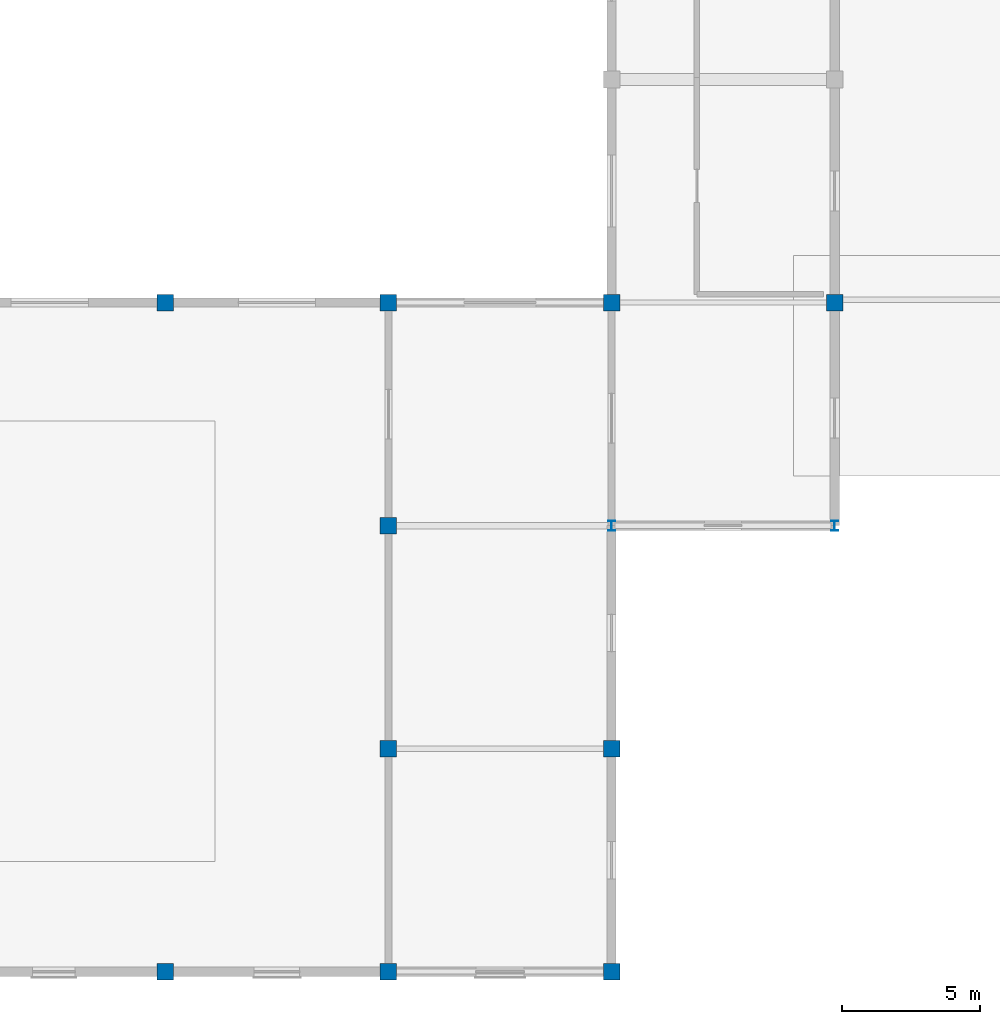
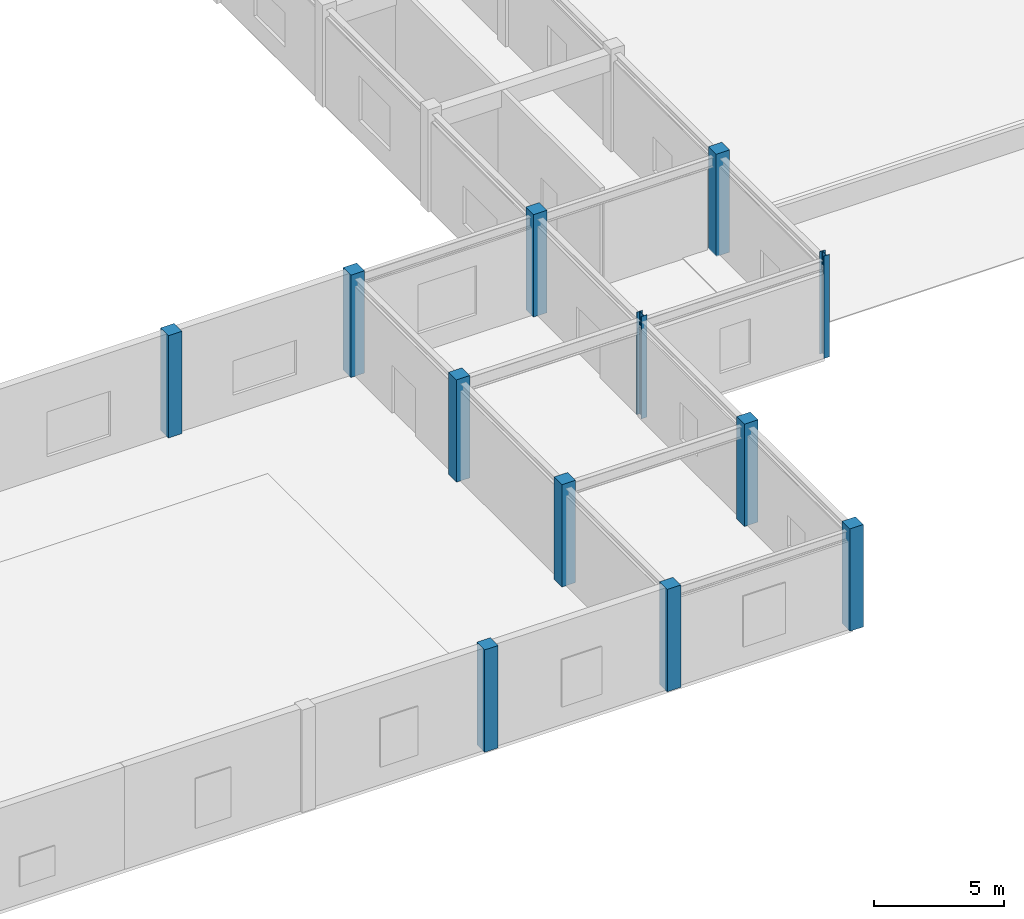
# One storey, part 4 of 56: 12 columns.
"""IFC4 building model written with IfcOpenShell, lengths in metres."""

from ifc_helpers import new_model, si_unit, direction, frame, origin, origin_2d, place, context, subcontext, project, spatial, rectangle, i_section, extrude, material, material_profile, profile_set, type_object, element, save


model = new_model("IFC4")

# Units and contexts
model_context = context("Model", 3, precision=1e-05, world=origin(), true_north=direction((0.0, 1.0)))
body_context = subcontext(model_context, "Body", "Model", "MODEL_VIEW")
ifc_project = project(units=[si_unit("LENGTHUNIT", "METRE"), si_unit("AREAUNIT", "SQUARE_METRE"), si_unit("VOLUMEUNIT", "CUBIC_METRE"), si_unit("PLANEANGLEUNIT", "RADIAN"), si_unit("MASSUNIT", "GRAM", prefix="KILO")], contexts=[model_context])

# Site, building, storey
site_placement = place(None, origin())
site = spatial("IfcSite", under=ifc_project, at=site_placement, CompositionType="ELEMENT")
building_placement = place(site_placement, origin())
building = spatial("IfcBuilding", under=site, at=building_placement, Name="Parian Resonance Hall", CompositionType="ELEMENT")
storey_placement = place(building_placement, frame((0.0, 0.0, 5.39990234375)))
storey = spatial("IfcBuildingStorey", under=building, at=storey_placement, Name="L01", CompositionType="ELEMENT", Elevation=5.39990234375)

# Columns
ifc_material_1 = material(Name="Concrete C40/50", Category="concrete")
ifc_material_profile_1 = material_profile(ifc_material_1, rectangle(XDim=0.60009765625, YDim=0.60009765625, at=origin_2d()), Name="RC-COL-600x600")
ifc_profile_set_1 = profile_set([ifc_material_profile_1], Name="Concrete C40/50")
column_type_1 = type_object("IfcColumnType", Name="COL-RC600", PredefinedType="COLUMN", material=ifc_profile_set_1)
for number, where, z_axis, x_axis, name in (
    (1, (97.199951171875, 0.0, 0.0), (0.0, 0.0, 1.0), (1.0, 0.0, 0.0), "Column G13-01 L01"),
    (2, (97.199951171875, 24.300048828125, 0.0), (0.0, 0.0, 1.0), (1.0, 0.0, 0.0), "Column G13-04 L01"),
    (3, (105.300048828125, 0.0, 0.0), (0.0, 0.0, 1.0), (1.0, 0.0, 0.0), "Column G14-01 L01"),
    (4, (105.300048828125, 8.10009765625, 0.0), (0.0, 0.0, 1.0), (1.0, 0.0, 0.0), "Column G14-02 L01"),
    (5, (105.300048828125, 16.199951171875, 0.0), (0.0, 0.0, 1.0), (1.0, 0.0, 0.0), "Column G14-03 L01"),
    (6, (105.300048828125, 24.300048828125, 0.0), (0.0, 0.0, 1.0), (1.0, 0.0, 0.0), "Column G14-04 L01"),
    (7, (113.39990234375, 0.0, 0.0), (0.0, 0.0, 1.0), (1.0, 0.0, 0.0), "Column G15-01 L01"),
    (8, (113.39990234375, 8.10009765625, 0.0), (0.0, 0.0, 1.0), (1.0, 0.0, 0.0), "Column G15-02 L01"),
    (9, (113.39990234375, 24.300048828125, 0.0), (0.0, 0.0, 1.0), (1.0, 0.0, 0.0), "Column G15-04 L01"),
    (10, (121.5, 24.300048828125, 0.0), (0.0, 0.0, 1.0), (1.0, 0.0, 0.0), "Column G16-04 L01"),
):
    element("IfcColumn", number, at=place(storey_placement, frame(where, z_axis=z_axis, x_axis=x_axis)), inside=storey, type_object=column_type_1, Name=name, PredefinedType="COLUMN", context=body_context, shape_type="SweptSolid", body=[
        extrude(rectangle(XDim=0.60009765625, YDim=0.60009765625, at=origin_2d()), origin(), (0.0, 0.0, 1.0), 4.800048828125),
    ])
ifc_material_2 = material(Name="Steel S355", Category="steel")
ifc_material_profile_2 = material_profile(ifc_material_2, i_section(OverallWidth=0.2548828125, OverallDepth=0.35693359375, WebThickness=0.010498046875, FlangeThickness=0.018310546875, FilletRadius=0.01513671875, at=origin_2d()), Name="W360x101")
ifc_profile_set_2 = profile_set([ifc_material_profile_2], Name="Steel S355")
column_type_2 = type_object("IfcColumnType", Name="COL-W360", PredefinedType="COLUMN", material=ifc_profile_set_2)
for number, where, z_axis, x_axis, name in (
    (11, (113.39990234375, 16.199951171875, 0.0), (0.0, 0.0, 1.0), (1.0, 0.0, 0.0), "Column G15-03 L01"),
    (12, (121.5, 16.199951171875, 0.0), (0.0, 0.0, 1.0), (1.0, 0.0, 0.0), "Column G16-03 L01"),
):
    element("IfcColumn", number, at=place(storey_placement, frame(where, z_axis=z_axis, x_axis=x_axis)), inside=storey, type_object=column_type_2, Name=name, PredefinedType="COLUMN", context=body_context, shape_type="SweptSolid", body=[
        extrude(i_section(OverallWidth=0.2548828125, OverallDepth=0.35693359375, WebThickness=0.010498046875, FlangeThickness=0.018310546875, FilletRadius=0.01513671875, at=origin_2d()), origin(), (0.0, 0.0, 1.0), 4.800048828125),
    ])

save(model, "model.ifc")
